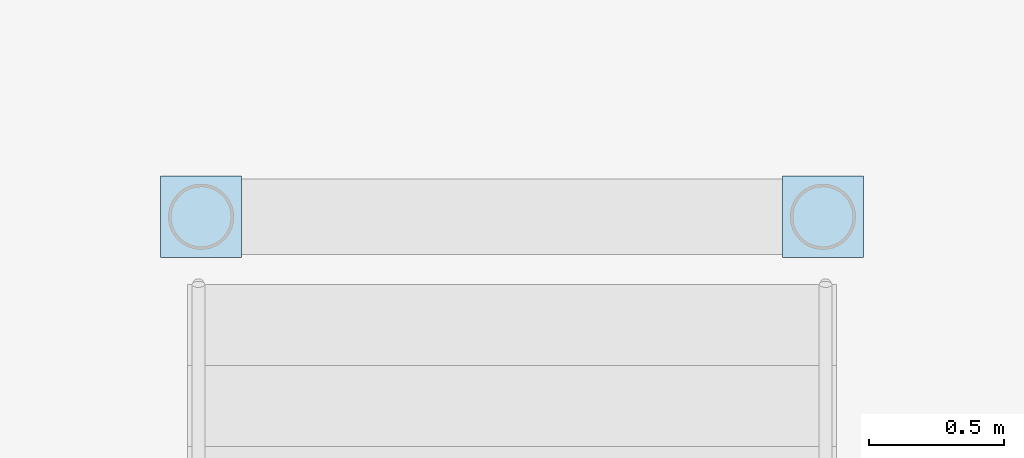
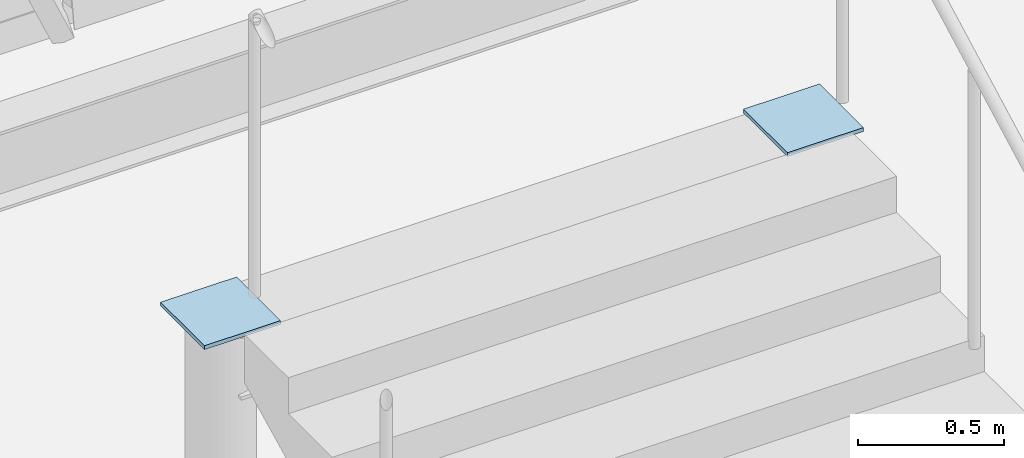
# One storey, part 76 of 98: 2 plates.
"""IFC4 building model written with IfcOpenShell, lengths in metres."""

from ifc_helpers import new_model, si_unit, direction, frame, origin, origin_2d, place, context, subcontext, project, spatial, rectangle, extrude, material, layer, layer_set, type_object, element, save


model = new_model("IFC4")

# Units and contexts
model_context = context("Model", 3, precision=1e-05, world=origin(), true_north=direction((0.0, 1.0)))
body_context = subcontext(model_context, "Body", "Model", "MODEL_VIEW")
ifc_project = project(units=[si_unit("LENGTHUNIT", "METRE"), si_unit("AREAUNIT", "SQUARE_METRE"), si_unit("VOLUMEUNIT", "CUBIC_METRE"), si_unit("PLANEANGLEUNIT", "RADIAN"), si_unit("MASSUNIT", "GRAM", prefix="KILO")], contexts=[model_context])

# Site, building, storey
site_placement = place(None, origin())
site = spatial("IfcSite", under=ifc_project, at=site_placement, CompositionType="ELEMENT")
building_placement = place(site_placement, origin())
building = spatial("IfcBuilding", under=site, at=building_placement, Name="Lykobir Media Centre", CompositionType="ELEMENT")
storey_placement = place(building_placement, frame((0.0, 0.0, 10.199951171875)))
storey = spatial("IfcBuildingStorey", under=building, at=storey_placement, Name="L02", CompositionType="ELEMENT", Elevation=10.199951171875)

# Plates
ifc_material = material(Name="Steel S355", Category="steel")
ifc_layer = layer(ifc_material, 0.01611328125, Name="Steel S355")
ifc_layer_set = layer_set([ifc_layer], Name="Steel S355")
plate_type = type_object("IfcPlateType", Name="CP-280", PredefinedType="SHEET", material=ifc_layer_set)
for number, where, z_axis, x_axis, name in (
    (1, (57.35009765625, 100.60009765625, 4.56005859375), (0.0, 0.0, 1.0), (1.0, 0.0, 0.0), "Valley post cap 5"),
    (2, (59.64990234375, 100.60009765625, 4.56005859375), (0.0, 0.0, 1.0), (1.0, 0.0, 0.0), "Valley post cap 6"),
):
    element("IfcPlate", number, at=place(storey_placement, frame(where, z_axis=z_axis, x_axis=x_axis)), inside=storey, type_object=plate_type, Name=name, PredefinedType="SHEET", context=body_context, shape_type="SweptSolid", body=[
        extrude(rectangle(XDim=0.300048828125, YDim=0.300048828125, at=origin_2d()), origin(), (0.0, 0.0, 1.0), 0.01611328125),
    ])

save(model, "model.ifc")
